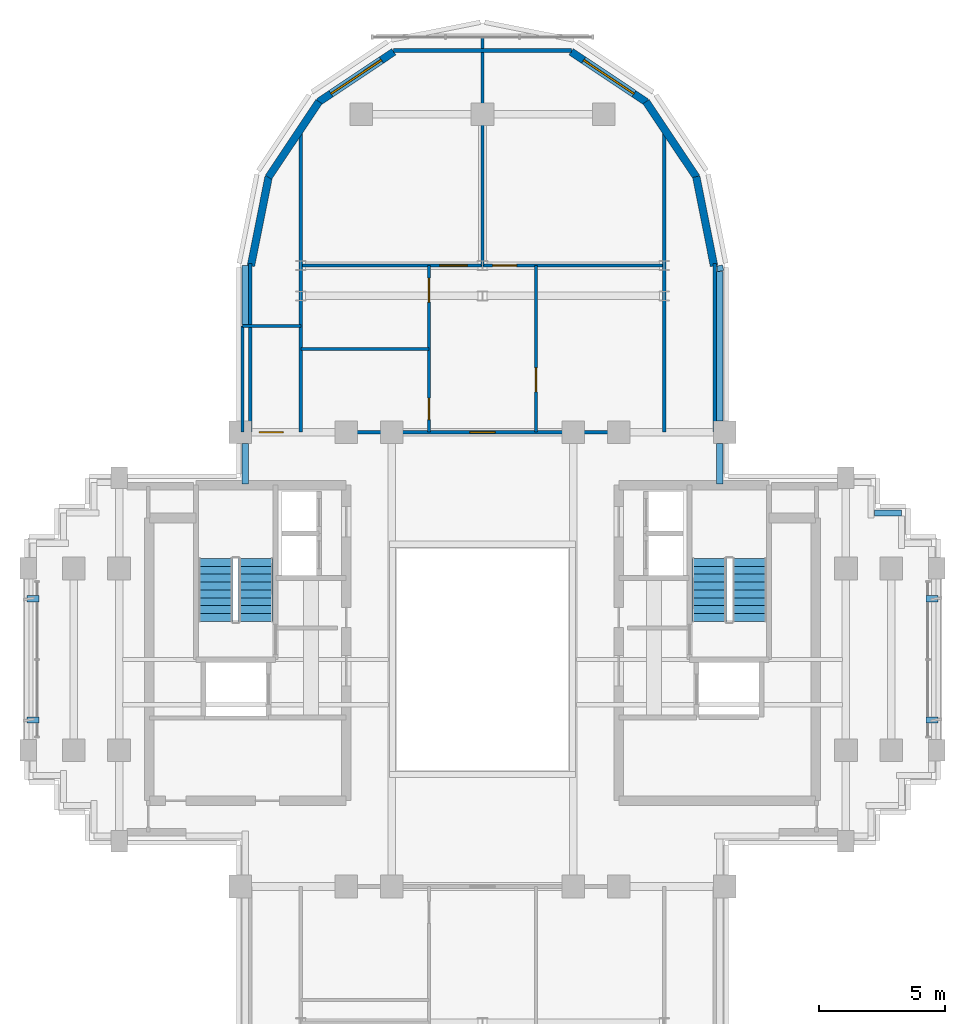
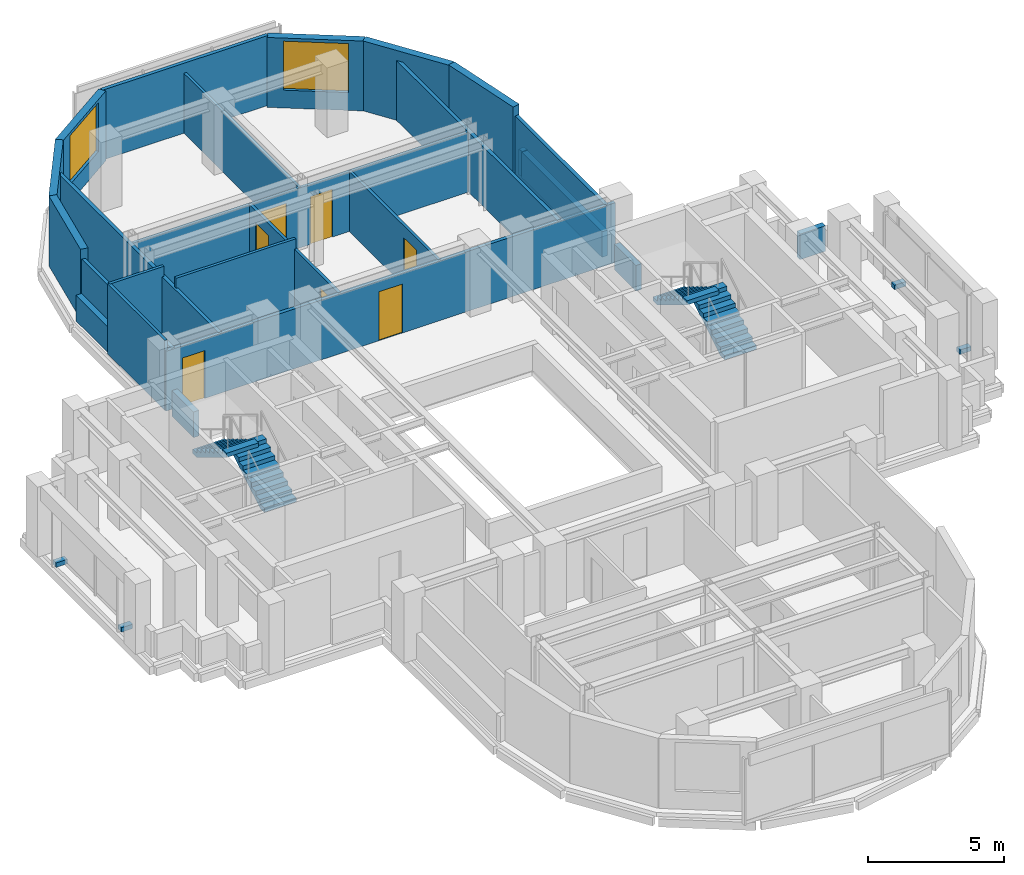
# One storey, part 8 of 11: 25 walls, 7 doors, 4 discrete accessories, 4 stair flights, 2 windows, 9 openings, 2 elements without a shape of their own.
"""IFC4 building model written with IfcOpenShell, lengths in metres."""

from ifc_helpers import new_model, si_unit, direction, frame, frame_2d, origin, origin_2d, place, context, subcontext, project, spatial, polyline, rectangle, outline, extrude, source, transform, mapped, material, layer, layer_set, type_object, element, fill, aggregate, save


model = new_model("IFC4")

# Units and contexts
model_context = context("Model", 3, precision=1e-05, world=origin(), true_north=direction((0.0, 1.0)))
body_context = subcontext(model_context, "Body", "Model", "MODEL_VIEW")
ifc_project = project(units=[si_unit("LENGTHUNIT", "METRE"), si_unit("AREAUNIT", "SQUARE_METRE"), si_unit("VOLUMEUNIT", "CUBIC_METRE"), si_unit("PLANEANGLEUNIT", "RADIAN"), si_unit("MASSUNIT", "GRAM", prefix="KILO")], contexts=[model_context])

# Site, building, storey
site_placement = place(None, origin())
site = spatial("IfcSite", under=ifc_project, at=site_placement, CompositionType="ELEMENT")
building_placement = place(site_placement, origin())
building = spatial("IfcBuilding", under=site, at=building_placement, Name="Keilestroom Media Tower", CompositionType="ELEMENT")
storey_placement = place(building_placement, frame((0.0, 0.0, 211.39990234375)))
storey = spatial("IfcBuildingStorey", under=building, at=storey_placement, Name="L58", CompositionType="ELEMENT", Elevation=211.39990234375)

# Walls
ifc_material_1 = material(Name="Precast concrete C40/50", Category="concrete")
ifc_layer_1 = layer(ifc_material_1, 0.300048828125)
ifc_layer_set_1 = layer_set([ifc_layer_1], Name="Precast concrete C40/50")
wall_type_1 = type_object("IfcWallType", Name="Exterior-Masonry-Spandrel-Wall-300", PredefinedType="SOLIDWALL", material=ifc_layer_set_1)
for number, where, z_axis, x_axis, name in (
    (1, (9.1748046875, 15.585205078125, 0.0), (0.0, 0.0, 1.0), (-0.195114232679, 0.980780523974, 0.0), "L58 Lobe Facet Precast Frame Wall 01"),
    (2, (8.48193359375, 19.097412109375, 0.0), (0.0, 0.0, 1.0), (-0.555574187116, 0.831466970246, 0.0), "L58 Lobe Facet Precast Frame Wall 02"),
):
    element("IfcWall", number, at=place(storey_placement, frame(where, z_axis=z_axis, x_axis=x_axis)), inside=storey, type_object=wall_type_1, Name=name, PredefinedType="SOLIDWALL", context=body_context, shape_type="SweptSolid", body=[
        extrude(rectangle(XDim=3.608642578125, YDim=0.300048828125, at=frame_2d((1.80419921875, 0.0))), origin(), (0.0, 0.0, 1.0), 3.14013671875),
    ])

# Wall, opening, window
wall_1_placement = place(storey_placement, frame((6.497802734375, 22.0771484375, 0.0), z_axis=(0.0, 0.0, 1.0), x_axis=(-0.8314749531, 0.555562239868, 0.0)))
wall_1 = element("IfcWall", 3, at=wall_1_placement, inside=storey, type_object=wall_type_1, Name="L58 Lobe Facet Precast Frame Wall 03", PredefinedType="SOLIDWALL", context=body_context, shape_type="SweptSolid", body=[
    extrude(rectangle(XDim=3.59326171875, YDim=0.300048828125, at=frame_2d((1.796630859375, 0.0))), origin(), (0.0, 0.0, 1.0), 3.14013671875),
])
opening_1_placement = place(wall_1_placement, frame((0.596923828125, 0.0, 0.800048828125)))
opening_1 = element("IfcOpeningElement", 4, at=opening_1_placement, cuts=wall_1, Name="Opening WN-02", PredefinedType="OPENING", context=body_context, shape_type="SweptSolid", body=[
    extrude(rectangle(XDim=2.39990234375, YDim=2.199951171875, at=frame_2d((1.199951171875, 1.10009765625))), frame((0.0, 0.16015625, 0.0), z_axis=(0.0, -1.0, 0.0), x_axis=(1.0, 0.0, 0.0)), (0.0, 0.0, 1.0), 0.320068359375),
])
ifc_material_2 = material(Name="Triple Glazed Low-E Window Unit", Category="glass")
window_type = type_object("IfcWindowType", Name="Recessed-Punched-Window-WN-02", PartitioningType="DOUBLE_PANEL_VERTICAL", PredefinedType="WINDOW", material=ifc_material_2)
shared_shape_1 = source(origin(), body_context, "Body", "SweptSolid", [
    extrude(rectangle(XDim=2.39990234375, YDim=2.199951171875, at=frame_2d((1.199951171875, 1.10009765625))), frame((0.0, 0.030029296875, 0.0), z_axis=(0.0, -1.0, 0.0), x_axis=(1.0, 0.0, 0.0)), (0.0, 0.0, 1.0), 0.06005859375),
])
window_1_placement = place(opening_1_placement, origin())
window_1 = element("IfcWindow", 5, at=window_1_placement, inside=storey, type_object=window_type, Name="L58 Bedroom Lobe Window WN-02 EWL-L58-LCHK-03", OverallHeight=2.199951171875, OverallWidth=2.39990234375, PartitioningType="SINGLE_PANEL", PredefinedType="WINDOW", context=body_context, shape_type="MappedRepresentation", body=[
    mapped(shared_shape_1, transform((0.0, 0.0, 0.0), x_axis=(1.0, 0.0, 0.0), y_axis=(0.0, 1.0, 0.0), z_axis=(0.0, 0.0, 1.0), scale=1.0)),
])
fill(opening_1, window_1)

wall_2_placement = place(storey_placement, frame((-3.510009765625, 24.073486328125, 0.0), z_axis=(0.0, 0.0, 1.0), x_axis=(-0.8314749531, -0.555562239868, 0.0)))
wall_2 = element("IfcWall", 6, at=wall_2_placement, inside=storey, type_object=wall_type_1, Name="L58 Lobe Facet Precast Frame Wall 04", PredefinedType="SOLIDWALL", context=body_context, shape_type="SweptSolid", body=[
    extrude(rectangle(XDim=3.59326171875, YDim=0.300048828125, at=frame_2d((1.796630859375, 0.0))), origin(), (0.0, 0.0, 1.0), 3.14013671875),
])
opening_2_placement = place(wall_2_placement, frame((0.596923828125, 0.0, 0.800048828125)))
opening_2 = element("IfcOpeningElement", 7, at=opening_2_placement, cuts=wall_2, Name="Opening WN-02", PredefinedType="OPENING", context=body_context, shape_type="SweptSolid", body=[
    extrude(rectangle(XDim=2.39990234375, YDim=2.199951171875, at=frame_2d((1.199951171875, 1.10009765625))), frame((0.0, 0.16015625, 0.0), z_axis=(0.0, -1.0, 0.0), x_axis=(1.0, 0.0, 0.0)), (0.0, 0.0, 1.0), 0.320068359375),
])
window_2_placement = place(opening_2_placement, origin())
window_2 = element("IfcWindow", 8, at=window_2_placement, inside=storey, type_object=window_type, Name="L58 Bedroom Lobe Window WN-02 EWL-L58-LCHK-04", OverallHeight=2.199951171875, OverallWidth=2.39990234375, PartitioningType="SINGLE_PANEL", PredefinedType="WINDOW", context=body_context, shape_type="MappedRepresentation", body=[
    mapped(shared_shape_1, transform((0.0, 0.0, 0.0), x_axis=(1.0, 0.0, 0.0), y_axis=(0.0, 1.0, 0.0), z_axis=(0.0, 0.0, 1.0), scale=1.0)),
])
fill(opening_2, window_2)

# Walls
for number, where, z_axis, x_axis, name in (
    (9, (-6.47705078125, 22.097900390625, 0.0), (0.0, 0.0, 1.0), (-0.555574187116, -0.831466970246, 0.0), "L58 Lobe Facet Precast Frame Wall 05"),
    (10, (-8.470703125, 19.12451171875, 0.0), (0.0, 0.0, 1.0), (-0.195114232679, -0.980780523974, 0.0), "L58 Lobe Facet Precast Frame Wall 06"),
):
    element("IfcWall", number, at=place(storey_placement, frame(where, z_axis=z_axis, x_axis=x_axis)), inside=storey, type_object=wall_type_1, Name=name, PredefinedType="SOLIDWALL", context=body_context, shape_type="SweptSolid", body=[
        extrude(rectangle(XDim=3.608642578125, YDim=0.300048828125, at=frame_2d((1.80419921875, 0.0))), origin(), (0.0, 0.0, 1.0), 3.14013671875),
    ])

# Wall, openings, doors
ifc_material_3 = material(Name="Gypsum Plasterboard & Steel Stud", Category="steel")
ifc_layer_2 = layer(ifc_material_3, 0.1201171875)
ifc_layer_set_2 = layer_set([ifc_layer_2], Name="Gypsum Plasterboard & Steel Stud")
wall_type_2 = type_object("IfcWallType", Name="Interior-Partition-Wall-120", PredefinedType="PARTITIONING", material=ifc_layer_set_2)
wall_3_placement = place(storey_placement, frame((-2.1201171875, 9.0, 0.0), z_axis=(0.0, 0.0, 1.0), x_axis=(0.0, 1.0, 0.0)))
wall_3 = element("IfcWall", 11, at=wall_3_placement, inside=storey, type_object=wall_type_2, Name="L58 Interior Wall WP-L58-FW-N-HW", PredefinedType="PARTITIONING", context=body_context, shape_type="SweptSolid", body=[
    extrude(rectangle(XDim=6.60009765625, YDim=0.1201171875, at=frame_2d((3.300048828125, 0.0))), origin(), (0.0, 0.0, 1.0), 2.690185546875),
])
opening_3_placement = place(wall_3_placement, frame((0.5, 0.0, 0.0)))
opening_3 = element("IfcOpeningElement", 12, at=opening_3_placement, cuts=wall_3, Name="Opening DI-05", PredefinedType="OPENING", context=body_context, shape_type="SweptSolid", body=[
    extrude(rectangle(XDim=0.85009765625, YDim=2.10009765625, at=frame_2d((0.425048828125, 1.050048828125))), frame((0.0, 0.070068359375, 0.0), z_axis=(0.0, -1.0, 0.0), x_axis=(1.0, 0.0, 0.0)), (0.0, 0.0, 1.0), 0.14013671875),
])
opening_4_placement = place(wall_3_placement, frame((5.14990234375, 0.0, 0.0)))
opening_4 = element("IfcOpeningElement", 13, at=opening_4_placement, cuts=wall_3, Name="Opening DI-03", PredefinedType="OPENING", context=body_context, shape_type="SweptSolid", body=[
    extrude(rectangle(XDim=0.949951171875, YDim=2.14990234375, at=frame_2d((0.47509765625, 1.074951171875))), frame((0.0, 0.070068359375, 0.0), z_axis=(0.0, -1.0, 0.0), x_axis=(1.0, 0.0, 0.0)), (0.0, 0.0, 1.0), 0.14013671875),
])
ifc_material_4 = material(Name="Lacquered European Oak Leaf", Category="wood")
door_type_1 = type_object("IfcDoorType", Name="Interior-Room-And-Suite-Door-DI-03", OperationType="NOTDEFINED", PredefinedType="DOOR", material=ifc_material_4)
shared_shape_2 = source(origin(), body_context, "Body", "SweptSolid", [
    extrude(rectangle(XDim=0.949951171875, YDim=2.14990234375, at=frame_2d((0.47509765625, 1.074951171875))), frame((0.0, 0.02490234375, 0.0), z_axis=(0.0, -1.0, 0.0), x_axis=(1.0, 0.0, 0.0)), (0.0, 0.0, 1.0), 0.050048828125),
])
door_1_placement = place(opening_4_placement, origin())
door_1 = element("IfcDoor", 14, at=door_1_placement, inside=storey, type_object=door_type_1, Name="L58 Interior Door DI-L58-DFBD2-N", OperationType="SINGLE_SWING_RIGHT", OverallHeight=2.14990234375, OverallWidth=0.949951171875, PredefinedType="DOOR", context=body_context, shape_type="MappedRepresentation", body=[
    mapped(shared_shape_2, transform((0.0, 0.0, 0.0), x_axis=(1.0, 0.0, 0.0), y_axis=(0.0, 1.0, 0.0), z_axis=(0.0, 0.0, 1.0), scale=1.0)),
])
fill(opening_4, door_1)
ifc_material_5 = material(Name="Moisture-Resistant Oak Leaf", Category="wood")
door_type_2 = type_object("IfcDoorType", Name="Interior-En-Suite-And-Cupboard-Door-DI-05", OperationType="NOTDEFINED", PredefinedType="DOOR", material=ifc_material_5)
shared_shape_3 = source(origin(), body_context, "Body", "SweptSolid", [
    extrude(rectangle(XDim=0.85009765625, YDim=2.10009765625, at=frame_2d((0.425048828125, 1.050048828125))), frame((0.0, 0.02490234375, 0.0), z_axis=(0.0, -1.0, 0.0), x_axis=(1.0, 0.0, 0.0)), (0.0, 0.0, 1.0), 0.050048828125),
])
door_2_placement = place(opening_3_placement, origin())
door_2 = element("IfcDoor", 15, at=door_2_placement, inside=storey, type_object=door_type_2, Name="L58 Interior Door DI-L58-DFBTH-N", OperationType="SINGLE_SWING_LEFT", OverallHeight=2.10009765625, OverallWidth=0.85009765625, PredefinedType="DOOR", context=body_context, shape_type="MappedRepresentation", body=[
    mapped(shared_shape_3, transform((0.0, 0.0, 0.0), x_axis=(1.0, 0.0, 0.0), y_axis=(0.0, 1.0, 0.0), z_axis=(0.0, 0.0, 1.0), scale=1.0)),
])
fill(opening_3, door_2)

# Wall
wall_4_placement = place(storey_placement, frame((-7.199951171875, 12.300048828125, 0.0), z_axis=(0.0, 0.0, 1.0), x_axis=(1.0, 0.0, 0.0)))
element("IfcWall", 16, at=wall_4_placement, inside=storey, type_object=wall_type_2, Name="L58 Interior Wall WP-L58-FW-N-HB", PredefinedType="PARTITIONING", context=body_context, shape_type="SweptSolid", body=[
    extrude(rectangle(XDim=5.079833984375, YDim=0.1201171875, at=frame_2d((2.5400390625, 0.0))), origin(), (0.0, 0.0, 1.0), 3.14013671875),
])

# Wall, opening, door
wall_5_placement = place(storey_placement, frame((2.1201171875, 9.0, 0.0), z_axis=(0.0, 0.0, 1.0), x_axis=(0.0, 1.0, 0.0)))
wall_5 = element("IfcWall", 17, at=wall_5_placement, inside=storey, type_object=wall_type_2, Name="L58 Interior Wall WP-L58-FW-N-HE", PredefinedType="PARTITIONING", context=body_context, shape_type="SweptSolid", body=[
    extrude(rectangle(XDim=6.60009765625, YDim=0.1201171875, at=frame_2d((3.300048828125, 0.0))), origin(), (0.0, 0.0, 1.0), 2.690185546875),
])
opening_5_placement = place(wall_5_placement, frame((1.60009765625, 0.0, 0.0)))
opening_5 = element("IfcOpeningElement", 18, at=opening_5_placement, cuts=wall_5, Name="Opening DI-03", PredefinedType="OPENING", context=body_context, shape_type="SweptSolid", body=[
    extrude(rectangle(XDim=0.949951171875, YDim=2.14990234375, at=frame_2d((0.47509765625, 1.074951171875))), frame((0.0, 0.070068359375, 0.0), z_axis=(0.0, -1.0, 0.0), x_axis=(1.0, 0.0, 0.0)), (0.0, 0.0, 1.0), 0.14013671875),
])
door_3_placement = place(opening_5_placement, origin())
door_3 = element("IfcDoor", 19, at=door_3_placement, inside=storey, type_object=door_type_1, Name="L58 Interior Door DI-L58-DFKIT-N", OperationType="SINGLE_SWING_LEFT", OverallHeight=2.14990234375, OverallWidth=0.949951171875, PredefinedType="DOOR", context=body_context, shape_type="MappedRepresentation", body=[
    mapped(shared_shape_2, transform((0.0, 0.0, 0.0), x_axis=(1.0, 0.0, 0.0), y_axis=(0.0, 1.0, 0.0), z_axis=(0.0, 0.0, 1.0), scale=1.0)),
])
fill(opening_5, door_3)

# Wall, openings, doors
wall_6_placement = place(storey_placement, frame((-7.199951171875, 15.60009765625, 0.0), z_axis=(0.0, 0.0, 1.0), x_axis=(1.0, 0.0, 0.0)))
wall_6 = element("IfcWall", 20, at=wall_6_placement, inside=storey, type_object=wall_type_2, Name="L58 Interior Wall WP-L58-FW-N-MID", PredefinedType="PARTITIONING", context=body_context, shape_type="SweptSolid", body=[
    extrude(rectangle(XDim=14.39990234375, YDim=0.1201171875, at=frame_2d((7.199951171875, 0.0))), origin(), (0.0, 0.0, 1.0), 2.690185546875),
])
opening_6_placement = place(wall_6_placement, frame((5.5, 0.0, 0.0)))
opening_6 = element("IfcOpeningElement", 21, at=opening_6_placement, cuts=wall_6, Name="Opening DI-04", PredefinedType="OPENING", context=body_context, shape_type="SweptSolid", body=[
    extrude(rectangle(XDim=1.10009765625, YDim=2.199951171875, at=frame_2d((0.550048828125, 1.10009765625))), frame((0.0, 0.070068359375, 0.0), z_axis=(0.0, -1.0, 0.0), x_axis=(1.0, 0.0, 0.0)), (0.0, 0.0, 1.0), 0.14013671875),
])
opening_7_placement = place(wall_6_placement, frame((7.60009765625, 0.0, 0.0)))
opening_7 = element("IfcOpeningElement", 22, at=opening_7_placement, cuts=wall_6, Name="Opening DI-03", PredefinedType="OPENING", context=body_context, shape_type="SweptSolid", body=[
    extrude(rectangle(XDim=0.949951171875, YDim=2.14990234375, at=frame_2d((0.47509765625, 1.074951171875))), frame((0.0, 0.070068359375, 0.0), z_axis=(0.0, -1.0, 0.0), x_axis=(1.0, 0.0, 0.0)), (0.0, 0.0, 1.0), 0.14013671875),
])
door_4_placement = place(opening_7_placement, origin())
door_4 = element("IfcDoor", 23, at=door_4_placement, inside=storey, type_object=door_type_1, Name="L58 Interior Door DI-L58-DFBD1-N", OperationType="SINGLE_SWING_LEFT", OverallHeight=2.14990234375, OverallWidth=0.949951171875, PredefinedType="DOOR", context=body_context, shape_type="MappedRepresentation", body=[
    mapped(shared_shape_2, transform((0.0, 0.0, 0.0), x_axis=(1.0, 0.0, 0.0), y_axis=(0.0, 1.0, 0.0), z_axis=(0.0, 0.0, 1.0), scale=1.0)),
])
fill(opening_7, door_4)
ifc_material_6 = material(Name="Acoustic Glazed Aluminium Leaf", Category="aluminium")
door_type_3 = type_object("IfcDoorType", Name="Interior-Room-And-Suite-Door-DI-04", OperationType="NOTDEFINED", PredefinedType="DOOR", material=ifc_material_6)
shared_shape_4 = source(origin(), body_context, "Body", "SweptSolid", [
    extrude(rectangle(XDim=1.10009765625, YDim=2.199951171875, at=frame_2d((0.550048828125, 1.10009765625))), frame((0.0, 0.02490234375, 0.0), z_axis=(0.0, -1.0, 0.0), x_axis=(1.0, 0.0, 0.0)), (0.0, 0.0, 1.0), 0.050048828125),
])
door_5_placement = place(opening_6_placement, origin())
door_5 = element("IfcDoor", 24, at=door_5_placement, inside=storey, type_object=door_type_3, Name="L58 Interior Door DI-L58-DFLIV-N", OperationType="SINGLE_SWING_RIGHT", OverallHeight=2.199951171875, OverallWidth=1.10009765625, PredefinedType="DOOR", context=body_context, shape_type="MappedRepresentation", body=[
    mapped(shared_shape_4, transform((0.0, 0.0, 0.0), x_axis=(1.0, 0.0, 0.0), y_axis=(0.0, 1.0, 0.0), z_axis=(0.0, 0.0, 1.0), scale=1.0)),
])
fill(opening_6, door_5)

# Walls
wall_7_placement = place(storey_placement, frame((0.0, 15.60009765625, 0.0), z_axis=(0.0, 0.0, 1.0), x_axis=(0.0, 1.0, 0.0)))
element("IfcWall", 25, at=wall_7_placement, inside=storey, type_object=wall_type_2, Name="L58 Interior Wall WP-L58-FW-N-SP", PredefinedType="PARTITIONING", context=body_context, shape_type="SweptSolid", body=[
    extrude(rectangle(XDim=9.0498046875, YDim=0.1201171875, at=frame_2d((4.52490234375, 0.0))), origin(), (0.0, 0.0, 1.0), 2.690185546875),
])
wall_8_placement = place(storey_placement, frame((-9.5, 13.199951171875, 0.0), z_axis=(0.0, 0.0, 1.0), x_axis=(1.0, 0.0, 0.0)))
element("IfcWall", 26, at=wall_8_placement, inside=storey, type_object=wall_type_2, Name="L58 Interior Wall WP-L58-RWC-NW-N", PredefinedType="PARTITIONING", context=body_context, shape_type="SweptSolid", body=[
    extrude(rectangle(XDim=2.300048828125, YDim=0.1201171875, at=frame_2d((1.14990234375, 0.0))), origin(), (0.0, 0.0, 1.0), 3.14013671875),
])
wall_9_placement = place(storey_placement, frame((-9.5, 9.0, 0.0), z_axis=(0.0, 0.0, 1.0), x_axis=(0.0, 1.0, 0.0)))
element("IfcWall", 27, at=wall_9_placement, inside=storey, type_object=wall_type_2, Name="L58 Interior Wall WP-L58-RWC-NW-W", PredefinedType="PARTITIONING", context=body_context, shape_type="SweptSolid", body=[
    extrude(rectangle(XDim=4.199951171875, YDim=0.1201171875, at=frame_2d((2.10009765625, 0.0))), origin(), (0.0, 0.0, 1.0), 3.14013671875),
])

# Wall, openings, doors
ifc_layer_3 = layer(ifc_material_3, 0.14990234375)
ifc_layer_set_3 = layer_set([ifc_layer_3], Name="Gypsum Plasterboard & Steel Stud")
wall_type_3 = type_object("IfcWallType", Name="Interior-Partition-Wall-150", PredefinedType="PARTITIONING", material=ifc_layer_set_3)
wall_10_placement = place(storey_placement, frame((-9.550048828125, 9.0, 0.0), z_axis=(0.0, 0.0, 1.0), x_axis=(1.0, 0.0, 0.0)))
wall_10 = element("IfcWall", 28, at=wall_10_placement, inside=storey, type_object=wall_type_3, Name="L58 Interior Wall WP-L58-FLT-N-ENTRY", PredefinedType="PARTITIONING", context=body_context, shape_type="SweptSolid", body=[
    extrude(rectangle(XDim=19.10009765625, YDim=0.14990234375, at=frame_2d((9.550048828125, 0.0))), origin(), (0.0, 0.0, 1.0), 2.690185546875),
])
opening_8_placement = place(wall_10_placement, frame((0.699951171875, 0.0, 0.0)))
opening_8 = element("IfcOpeningElement", 29, at=opening_8_placement, cuts=wall_10, Name="Opening DI-03", PredefinedType="OPENING", context=body_context, shape_type="SweptSolid", body=[
    extrude(rectangle(XDim=0.949951171875, YDim=2.14990234375, at=frame_2d((0.47509765625, 1.074951171875))), frame((0.0, 0.0849609375, 0.0), z_axis=(0.0, -1.0, 0.0), x_axis=(1.0, 0.0, 0.0)), (0.0, 0.0, 1.0), 0.169921875),
])
opening_9_placement = place(wall_10_placement, frame((9.050048828125, 0.0, 0.0)))
opening_9 = element("IfcOpeningElement", 30, at=opening_9_placement, cuts=wall_10, Name="Opening DI-01", PredefinedType="OPENING", context=body_context, shape_type="SweptSolid", body=[
    extrude(rectangle(XDim=1.0, YDim=2.199951171875, at=frame_2d((0.5, 1.10009765625))), frame((0.0, 0.0849609375, 0.0), z_axis=(0.0, -1.0, 0.0), x_axis=(1.0, 0.0, 0.0)), (0.0, 0.0, 1.0), 0.169921875),
])
door_6_placement = place(opening_8_placement, origin())
door_6 = element("IfcDoor", 31, at=door_6_placement, inside=storey, type_object=door_type_1, Name="L58 Interior Door DI-L58-DRWC-NW", OperationType="SINGLE_SWING_LEFT", OverallHeight=2.14990234375, OverallWidth=0.949951171875, PredefinedType="DOOR", context=body_context, shape_type="MappedRepresentation", body=[
    mapped(shared_shape_2, transform((0.0, 0.0, 0.0), x_axis=(1.0, 0.0, 0.0), y_axis=(0.0, 1.0, 0.0), z_axis=(0.0, 0.0, 1.0), scale=1.0)),
])
fill(opening_8, door_6)
ifc_material_7 = material(Name="Solid-Core Timber Acoustic Fire Leaf", Category="wood")
door_type_4 = type_object("IfcDoorType", Name="Interior-Apartment-Entrance-Door-DI-01", OperationType="NOTDEFINED", PredefinedType="DOOR", material=ifc_material_7)
shared_shape_5 = source(origin(), body_context, "Body", "SweptSolid", [
    extrude(rectangle(XDim=1.0, YDim=2.199951171875, at=frame_2d((0.5, 1.10009765625))), frame((0.0, 0.02490234375, 0.0), z_axis=(0.0, -1.0, 0.0), x_axis=(1.0, 0.0, 0.0)), (0.0, 0.0, 1.0), 0.050048828125),
])
door_7_placement = place(opening_9_placement, origin())
door_7 = element("IfcDoor", 32, at=door_7_placement, inside=storey, type_object=door_type_4, Name="L58 Interior Door DI-L58-DFENT-N", OperationType="SINGLE_SWING_RIGHT", OverallHeight=2.199951171875, OverallWidth=1.0, PredefinedType="DOOR", context=body_context, shape_type="MappedRepresentation", body=[
    mapped(shared_shape_5, transform((0.0, 0.0, 0.0), x_axis=(1.0, 0.0, 0.0), y_axis=(0.0, 1.0, 0.0), z_axis=(0.0, 0.0, 1.0), scale=1.0)),
])
fill(opening_9, door_7)

# Walls
for number, where, z_axis, x_axis, name in (
    (33, (-9.199951171875, 9.0, 0.0), (0.0, 0.0, 1.0), (0.0, 1.0, 0.0), "L58 Interior Wall WP-L58-NL-CHKW"),
    (34, (9.199951171875, 9.0, 0.0), (0.0, 0.0, 1.0), (0.0, 1.0, 0.0), "L58 Interior Wall WP-L58-NL-CHKE"),
):
    element("IfcWall", number, at=place(storey_placement, frame(where, z_axis=z_axis, x_axis=x_axis)), inside=storey, type_object=wall_type_3, Name=name, PredefinedType="PARTITIONING", context=body_context, shape_type="SweptSolid", body=[
        extrude(rectangle(XDim=6.679931640625, YDim=0.14990234375, at=frame_2d((3.33984375, 0.0))), origin(), (0.0, 0.0, 1.0), 2.690185546875),
    ])
for number, where, z_axis, x_axis, name in (
    (35, (-7.199951171875, 9.0, 0.0), (0.0, 0.0, 1.0), (0.0, 1.0, 0.0), "L58 Interior Wall WP-L58-FW-N-VL"),
    (36, (7.199951171875, 9.0, 0.0), (0.0, 0.0, 1.0), (0.0, 1.0, 0.0), "L58 Interior Wall WP-L58-FW-N-VR"),
):
    element("IfcWall", number, at=place(storey_placement, frame(where, z_axis=z_axis, x_axis=x_axis)), inside=storey, type_object=wall_type_3, Name=name, PredefinedType="PARTITIONING", context=body_context, shape_type="SweptSolid", body=[
        extrude(rectangle(XDim=12.02001953125, YDim=0.14990234375, at=frame_2d((6.010009765625, 0.0))), origin(), (0.0, 0.0, 1.0), 2.690185546875),
    ])
wall_11_placement = place(storey_placement, frame((-3.52001953125, 24.1201171875, 0.0), z_axis=(0.0, 0.0, 1.0), x_axis=(1.0, 0.0, 0.0)))
element("IfcWall", 37, at=wall_11_placement, inside=storey, type_object=wall_type_3, Name="L58 Interior Wall WP-L58-FW-N-TIP", PredefinedType="PARTITIONING", context=body_context, shape_type="SweptSolid", body=[
    extrude(rectangle(XDim=7.0400390625, YDim=0.14990234375, at=frame_2d((3.52001953125, 0.0))), origin(), (0.0, 0.0, 1.0), 3.14013671875),
])
ifc_layer_4 = layer(ifc_material_1, 0.239990234375)
ifc_layer_set_4 = layer_set([ifc_layer_4], Name="Precast concrete C40/50")
wall_type_4 = type_object("IfcWallType", Name="Roof-And-Terrace-Parapet-Wall-240", PredefinedType="PARAPET", material=ifc_layer_set_4)
wall_12_placement = place(storey_placement, frame((-9.39990234375, 6.952880859375, 0.0), z_axis=(0.0, 0.0, 1.0), x_axis=(0.0, 1.0, 0.0)))
element("IfcWall", 38, at=wall_12_placement, inside=storey, type_object=wall_type_4, Name="L58 Perimeter Edge Parapet Wall 25", PredefinedType="PARAPET", context=body_context, shape_type="SweptSolid", body=[
    extrude(rectangle(XDim=1.59423828125, YDim=0.239990234375, at=frame_2d((0.797119140625, 0.0))), origin(), (0.0, 0.0, 1.0), 1.150146484375),
])
wall_13_placement = place(storey_placement, frame((-9.39990234375, 13.262939453125, 0.0), z_axis=(0.0, 0.0, 1.0), x_axis=(0.0, 1.0, 0.0)))
element("IfcWall", 39, at=wall_13_placement, inside=storey, type_object=wall_type_4, Name="L58 Perimeter Edge Parapet Wall 26", PredefinedType="PARAPET", context=body_context, shape_type="SweptSolid", body=[
    extrude(rectangle(XDim=2.33984375, YDim=0.239990234375, at=frame_2d((1.169921875, 0.0))), origin(), (0.0, 0.0, 1.0), 1.150146484375),
])
wall_14_placement = place(storey_placement, frame((9.395263671875, 15.604248046875, 0.0), z_axis=(0.0, 0.0, 1.0), x_axis=(0.194652052864, -0.980872355771, 0.0)))
element("IfcWall", 40, at=wall_14_placement, inside=storey, type_object=wall_type_4, Name="L58 Perimeter Edge Parapet Wall 27", PredefinedType="PARAPET", context=body_context, shape_type="SweptSolid", body=[
    extrude(rectangle(XDim=0.224609375, YDim=0.239990234375, at=frame_2d((0.1123046875, 0.0))), origin(), (0.0, 0.0, 1.0), 1.150146484375),
])
wall_15_placement = place(storey_placement, frame((9.39990234375, 15.357666015625, 0.0), z_axis=(0.0, 0.0, 1.0), x_axis=(0.0, -1.0, 0.0)))
element("IfcWall", 41, at=wall_15_placement, inside=storey, type_object=wall_type_4, Name="L58 Perimeter Edge Parapet Wall 28", PredefinedType="PARAPET", context=body_context, shape_type="SweptSolid", body=[
    extrude(rectangle(XDim=5.90478515625, YDim=0.239990234375, at=frame_2d((2.952392578125, 0.0))), origin(), (0.0, 0.0, 1.0), 1.150146484375),
])
wall_16_placement = place(storey_placement, frame((9.39990234375, 8.547119140625, 0.0), z_axis=(0.0, 0.0, 1.0), x_axis=(0.0, -1.0, 0.0)))
element("IfcWall", 42, at=wall_16_placement, inside=storey, type_object=wall_type_4, Name="L58 Perimeter Edge Parapet Wall 29", PredefinedType="PARAPET", context=body_context, shape_type="SweptSolid", body=[
    extrude(rectangle(XDim=1.59423828125, YDim=0.239990234375, at=frame_2d((0.797119140625, 0.0))), origin(), (0.0, 0.0, 1.0), 1.150146484375),
])
wall_17_placement = place(storey_placement, frame((15.52294921875, 5.800048828125, 0.0), z_axis=(0.0, 0.0, 1.0), x_axis=(1.0, 0.0, 0.0)))
element("IfcWall", 43, at=wall_17_placement, inside=storey, type_object=wall_type_4, Name="L58 Perimeter Edge Parapet Wall 32", PredefinedType="PARAPET", context=body_context, shape_type="SweptSolid", body=[
    extrude(rectangle(XDim=1.0771484375, YDim=0.239990234375, at=frame_2d((0.53857421875, 0.0))), origin(), (0.0, 0.0, 1.0), 1.150146484375),
])

# Stair, stair flights
ifc_material_8 = material(Name="Concrete C45/55", Category="concrete")
stair_type = type_object("IfcStairType", Name="Enclosed-Dog-Leg-Stair-ST-CORE", PredefinedType="HALF_TURN_STAIR", material=ifc_material_8)
stair_1_placement = place(storey_placement, origin())
stair_1 = element("IfcStair", 44, at=stair_1_placement, inside=storey, type_object=stair_type, Name="L58 West Core Escape Stair ST-1", PredefinedType="HALF_TURN_STAIR")
stair_flight_type = type_object("IfcStairFlightType", Name="Precast-Concrete-Stair-Flight-Core-160", PredefinedType="STRAIGHT", material=ifc_material_1)
stair_flight_1_placement = place(storey_placement, frame((-8.97998046875, 1.5, 0.0), z_axis=(0.0, 0.0, 1.0), x_axis=(0.0, 1.0, 0.0)))
stair_flight_1 = element("IfcStairFlight", 45, at=stair_flight_1_placement, type_object=stair_flight_type, Name="ST-1 flight 1", NumberOfRisers=9, NumberOfTreads=8, PredefinedType="STRAIGHT", RiserHeight=0.188888889, TreadLength=0.312, context=body_context, shape_type="SweptSolid", body=[
    extrude(outline(polyline([(0.0, 0.0), (0.0, 0.18896484375), (0.31201171875, 0.18896484375), (0.31201171875, 0.377685546875), (0.6240234375, 0.377685546875), (0.6240234375, 0.566650390625), (0.93603515625, 0.566650390625), (0.93603515625, 0.755615234375), (1.248046875, 0.755615234375), (1.248046875, 0.9443359375), (1.56005859375, 0.9443359375), (1.56005859375, 1.13330078125), (1.8720703125, 1.13330078125), (1.8720703125, 1.322265625), (2.18408203125, 1.322265625), (2.18408203125, 1.51123046875), (2.49609375, 1.51123046875), (2.49609375, 1.699951171875), (2.49609375, 1.32421875), (0.308837890625, 0.0), (0.0, 0.0)])), frame((0.0, 0.68017578125, 0.0), z_axis=(0.0, -1.0, 0.0), x_axis=(1.0, 0.0, 0.0)), (0.0, 0.0, 1.0), 1.360107421875),
])
stair_flight_2_placement = place(storey_placement, frame((-10.580078125, 3.99609375, 1.7001953125), z_axis=(0.0, 0.0, 1.0), x_axis=(0.0, -1.0, 0.0)))
stair_flight_2 = element("IfcStairFlight", 46, at=stair_flight_2_placement, type_object=stair_flight_type, Name="ST-1 flight 2", NumberOfRisers=9, NumberOfTreads=8, PredefinedType="STRAIGHT", RiserHeight=0.188888889, TreadLength=0.312, context=body_context, shape_type="SweptSolid", body=[
    extrude(outline(polyline([(0.0, 0.0), (0.0, 0.18896484375), (0.31201171875, 0.18896484375), (0.31201171875, 0.377685546875), (0.6240234375, 0.377685546875), (0.6240234375, 0.566650390625), (0.93603515625, 0.566650390625), (0.93603515625, 0.755615234375), (1.248046875, 0.755615234375), (1.248046875, 0.9443359375), (1.56005859375, 0.9443359375), (1.56005859375, 1.13330078125), (1.8720703125, 1.13330078125), (1.8720703125, 1.322265625), (2.18408203125, 1.322265625), (2.18408203125, 1.51123046875), (2.49609375, 1.51123046875), (2.49609375, 1.699951171875), (2.49609375, 1.32421875), (0.308837890625, 0.0), (0.0, 0.0)])), frame((0.0, 0.68017578125, 0.0), z_axis=(0.0, -1.0, 0.0), x_axis=(1.0, 0.0, 0.0)), (0.0, 0.0, 1.0), 1.360107421875),
])
aggregate(stair_1, [stair_flight_1, stair_flight_2])

stair_2_placement = place(storey_placement, origin())
stair_2 = element("IfcStair", 47, at=stair_2_placement, inside=storey, type_object=stair_type, Name="L58 East Core Escape Stair ST-2", PredefinedType="HALF_TURN_STAIR")
stair_flight_3_placement = place(storey_placement, frame((10.580078125, 1.5, 0.0), z_axis=(0.0, 0.0, 1.0), x_axis=(0.0, 1.0, 0.0)))
stair_flight_3 = element("IfcStairFlight", 48, at=stair_flight_3_placement, type_object=stair_flight_type, Name="ST-2 flight 1", NumberOfRisers=9, NumberOfTreads=8, PredefinedType="STRAIGHT", RiserHeight=0.188888889, TreadLength=0.312, context=body_context, shape_type="SweptSolid", body=[
    extrude(outline(polyline([(0.0, 0.0), (0.0, 0.18896484375), (0.31201171875, 0.18896484375), (0.31201171875, 0.377685546875), (0.6240234375, 0.377685546875), (0.6240234375, 0.566650390625), (0.93603515625, 0.566650390625), (0.93603515625, 0.755615234375), (1.248046875, 0.755615234375), (1.248046875, 0.9443359375), (1.56005859375, 0.9443359375), (1.56005859375, 1.13330078125), (1.8720703125, 1.13330078125), (1.8720703125, 1.322265625), (2.18408203125, 1.322265625), (2.18408203125, 1.51123046875), (2.49609375, 1.51123046875), (2.49609375, 1.699951171875), (2.49609375, 1.32421875), (0.308837890625, 0.0), (0.0, 0.0)])), frame((0.0, 0.68017578125, 0.0), z_axis=(0.0, -1.0, 0.0), x_axis=(1.0, 0.0, 0.0)), (0.0, 0.0, 1.0), 1.360107421875),
])
stair_flight_4_placement = place(storey_placement, frame((8.97998046875, 3.99609375, 1.7001953125), z_axis=(0.0, 0.0, 1.0), x_axis=(0.0, -1.0, 0.0)))
stair_flight_4 = element("IfcStairFlight", 49, at=stair_flight_4_placement, type_object=stair_flight_type, Name="ST-2 flight 2", NumberOfRisers=9, NumberOfTreads=8, PredefinedType="STRAIGHT", RiserHeight=0.188888889, TreadLength=0.312, context=body_context, shape_type="SweptSolid", body=[
    extrude(outline(polyline([(0.0, 0.0), (0.0, 0.18896484375), (0.31201171875, 0.18896484375), (0.31201171875, 0.377685546875), (0.6240234375, 0.377685546875), (0.6240234375, 0.566650390625), (0.93603515625, 0.566650390625), (0.93603515625, 0.755615234375), (1.248046875, 0.755615234375), (1.248046875, 0.9443359375), (1.56005859375, 0.9443359375), (1.56005859375, 1.13330078125), (1.8720703125, 1.13330078125), (1.8720703125, 1.322265625), (2.18408203125, 1.322265625), (2.18408203125, 1.51123046875), (2.49609375, 1.51123046875), (2.49609375, 1.699951171875), (2.49609375, 1.32421875), (0.308837890625, 0.0), (0.0, 0.0)])), frame((0.0, 0.68017578125, 0.0), z_axis=(0.0, -1.0, 0.0), x_axis=(1.0, 0.0, 0.0)), (0.0, 0.0, 1.0), 1.360107421875),
])
aggregate(stair_2, [stair_flight_3, stair_flight_4])

# Discrete accessories
ifc_material_9 = material(Name="Stainless Steel 1.4401", Category="steel")
discrete_accessory_type = type_object("IfcDiscreteAccessoryType", Name="Facade-Fin-Fixing-Bracket-BRK-1", PredefinedType="BRACKET", material=ifc_material_9)
shared_shape_6 = source(origin(), body_context, "Body", "SweptSolid", [
    extrude(rectangle(XDim=0.47998046875, YDim=0.239990234375, at=origin_2d()), origin(), (0.0, 0.0, 1.0), 0.199951171875),
])
for number, where, z_axis, x_axis, name in (
    (50, (-17.81005859375, -2.39990234375, -0.009765625), (0.0, 0.0, 1.0), (1.0, 0.0, 0.0), "L58 Sunshade Fin Bracket BRK-1 085"),
    (51, (-17.81005859375, 2.39990234375, -0.009765625), (0.0, 0.0, 1.0), (1.0, 0.0, 0.0), "L58 Sunshade Fin Bracket BRK-1 086"),
    (52, (17.81005859375, -2.39990234375, -0.009765625), (0.0, 0.0, 1.0), (1.0, 0.0, 0.0), "L58 Sunshade Fin Bracket BRK-1 087"),
    (53, (17.81005859375, 2.39990234375, -0.009765625), (0.0, 0.0, 1.0), (1.0, 0.0, 0.0), "L58 Sunshade Fin Bracket BRK-1 088"),
):
    element("IfcDiscreteAccessory", number, at=place(storey_placement, frame(where, z_axis=z_axis, x_axis=x_axis)), inside=storey, type_object=discrete_accessory_type, Name=name, PredefinedType="BRACKET", context=body_context, shape_type="MappedRepresentation", body=[
        mapped(shared_shape_6, transform((0.0, 0.0, 0.0), x_axis=(1.0, 0.0, 0.0), y_axis=(0.0, 1.0, 0.0), z_axis=(0.0, 0.0, 1.0), scale=1.0)),
    ])

save(model, "model.ifc")
